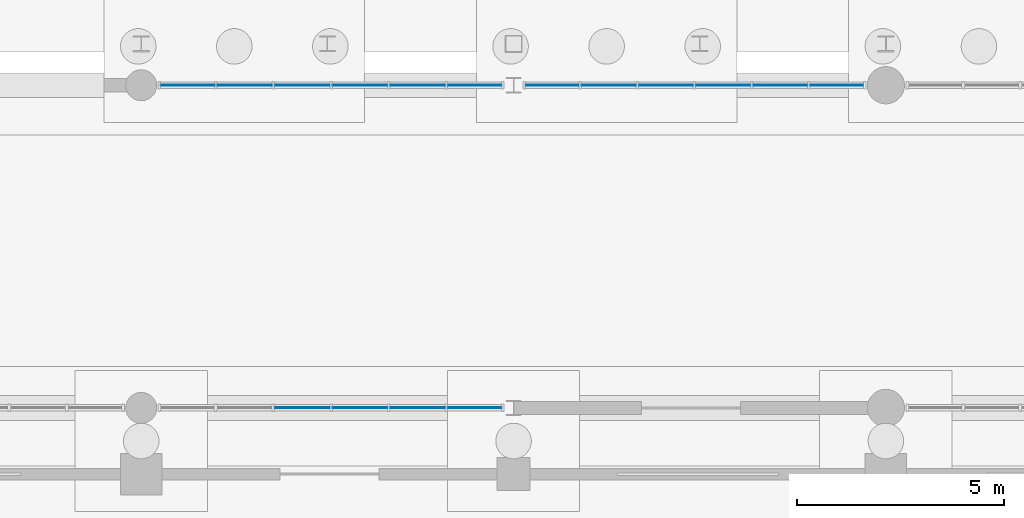
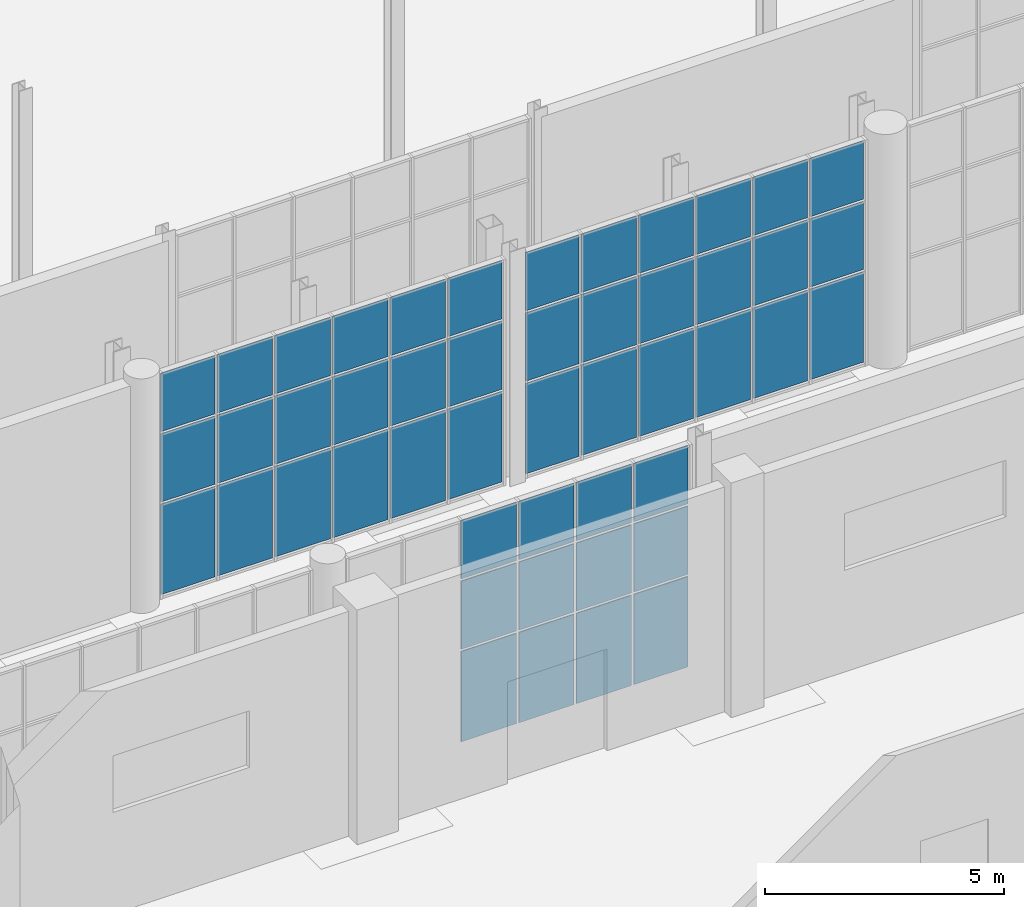
# One storey, part 79 of 131: 48 plates, 3 elements without a shape of their own.
"""IFC4 building model written with IfcOpenShell, lengths in metres."""

from ifc_helpers import new_model, si_unit, direction, frame, origin, origin_2d, place, context, subcontext, project, spatial, rectangle, extrude, material, layer, layer_set, type_object, element, aggregate, save


model = new_model("IFC4")

# Units and contexts
model_context = context("Model", 3, precision=1e-05, world=origin(), true_north=direction((0.0, 1.0)))
body_context = subcontext(model_context, "Body", "Model", "MODEL_VIEW")
ifc_project = project(units=[si_unit("LENGTHUNIT", "METRE"), si_unit("AREAUNIT", "SQUARE_METRE"), si_unit("VOLUMEUNIT", "CUBIC_METRE"), si_unit("PLANEANGLEUNIT", "RADIAN"), si_unit("MASSUNIT", "GRAM", prefix="KILO")], contexts=[model_context])

# Site, building, storey
site_placement = place(None, origin())
site = spatial("IfcSite", under=ifc_project, at=site_placement, CompositionType="ELEMENT")
building_placement = place(site_placement, origin())
building = spatial("IfcBuilding", under=site, at=building_placement, Name="Cazmaro Siding Exhibition Halls", CompositionType="ELEMENT")
storey_placement = place(building_placement, origin())
storey = spatial("IfcBuildingStorey", under=building, at=storey_placement, Name="L00", CompositionType="ELEMENT", Elevation=0.0)

# Curtain wall, plates
ifc_material_1 = material(Name="Anodized Bronze Aluminum and Solar-Control Low-E Glazing", Category="aluminium")
ifc_layer_1 = layer(ifc_material_1, 0.179931640625)
ifc_layer_set_1 = layer_set([ifc_layer_1], Name="Anodized Bronze Aluminum and Solar-Control Low-E Glazing")
curtain_wall_type = type_object("IfcCurtainWallType", Name="CWS-01", PredefinedType="USERDEFINED", material=ifc_layer_set_1)
curtain_wall_1_placement = place(storey_placement, origin())
curtain_wall_1 = element("IfcCurtainWall", 1, at=curtain_wall_1_placement, inside=storey, type_object=curtain_wall_type, Name="Glazed Curtain Wall CWS-01 CW-179", ObjectType="GLAZED CURTAIN WALL", PredefinedType="USERDEFINED")
ifc_material_2 = material(Name="Solar-Control Low-E Double Insulating Glass", Category="glass")
ifc_layer_2 = layer(ifc_material_2, 0.02392578125)
ifc_layer_set_2 = layer_set([ifc_layer_2], Name="Solar-Control Low-E Double Insulating Glass")
plate_type = type_object("IfcPlateType", Name="CWP-01", PredefinedType="CURTAIN_PANEL", material=ifc_layer_set_2)
plate_1_placement = place(storey_placement, frame((111.89208984375, 55.199951171875, 0.06005859375), z_axis=(0.0, 0.0, 1.0), x_axis=(1.0, 0.0, 0.0)))
plate_1 = element("IfcPlate", 2, at=plate_1_placement, type_object=plate_type, Name="CWS-01 panel 3.1", PredefinedType="CURTAIN_PANEL", context=body_context, shape_type="SweptSolid", body=[
    extrude(rectangle(XDim=1.333740234375, YDim=0.02392578125, at=origin_2d()), origin(), (0.0, 0.0, 1.0), 2.31005859375),
])
plate_2_placement = place(storey_placement, frame((111.89208984375, 55.199951171875, 2.43017578125), z_axis=(0.0, 0.0, 1.0), x_axis=(1.0, 0.0, 0.0)))
plate_2 = element("IfcPlate", 3, at=plate_2_placement, type_object=plate_type, Name="CWS-01 panel 3.2", PredefinedType="CURTAIN_PANEL", context=body_context, shape_type="SweptSolid", body=[
    extrude(rectangle(XDim=1.333740234375, YDim=0.02392578125, at=origin_2d()), origin(), (0.0, 0.0, 1.0), 1.739990234375),
])
plate_3_placement = place(storey_placement, frame((111.89208984375, 55.199951171875, 4.22998046875), z_axis=(0.0, 0.0, 1.0), x_axis=(1.0, 0.0, 0.0)))
plate_3 = element("IfcPlate", 4, at=plate_3_placement, type_object=plate_type, Name="CWS-01 panel 3.3", PredefinedType="CURTAIN_PANEL", context=body_context, shape_type="SweptSolid", body=[
    extrude(rectangle(XDim=1.333740234375, YDim=0.02392578125, at=origin_2d()), origin(), (0.0, 0.0, 1.0), 1.489990234375),
])
plate_4_placement = place(storey_placement, frame((113.285888671875, 55.199951171875, 0.06005859375), z_axis=(0.0, 0.0, 1.0), x_axis=(1.0, 0.0, 0.0)))
plate_4 = element("IfcPlate", 5, at=plate_4_placement, type_object=plate_type, Name="CWS-01 panel 4.1", PredefinedType="CURTAIN_PANEL", context=body_context, shape_type="SweptSolid", body=[
    extrude(rectangle(XDim=1.333740234375, YDim=0.02392578125, at=origin_2d()), origin(), (0.0, 0.0, 1.0), 2.31005859375),
])
plate_5_placement = place(storey_placement, frame((113.285888671875, 55.199951171875, 2.43017578125), z_axis=(0.0, 0.0, 1.0), x_axis=(1.0, 0.0, 0.0)))
plate_5 = element("IfcPlate", 6, at=plate_5_placement, type_object=plate_type, Name="CWS-01 panel 4.2", PredefinedType="CURTAIN_PANEL", context=body_context, shape_type="SweptSolid", body=[
    extrude(rectangle(XDim=1.333740234375, YDim=0.02392578125, at=origin_2d()), origin(), (0.0, 0.0, 1.0), 1.739990234375),
])
plate_6_placement = place(storey_placement, frame((113.285888671875, 55.199951171875, 4.22998046875), z_axis=(0.0, 0.0, 1.0), x_axis=(1.0, 0.0, 0.0)))
plate_6 = element("IfcPlate", 7, at=plate_6_placement, type_object=plate_type, Name="CWS-01 panel 4.3", PredefinedType="CURTAIN_PANEL", context=body_context, shape_type="SweptSolid", body=[
    extrude(rectangle(XDim=1.333740234375, YDim=0.02392578125, at=origin_2d()), origin(), (0.0, 0.0, 1.0), 1.489990234375),
])
plate_7_placement = place(storey_placement, frame((114.679443359375, 55.199951171875, 0.06005859375), z_axis=(0.0, 0.0, 1.0), x_axis=(1.0, 0.0, 0.0)))
plate_7 = element("IfcPlate", 8, at=plate_7_placement, type_object=plate_type, Name="CWS-01 panel 5.1", PredefinedType="CURTAIN_PANEL", context=body_context, shape_type="SweptSolid", body=[
    extrude(rectangle(XDim=1.333740234375, YDim=0.02392578125, at=origin_2d()), origin(), (0.0, 0.0, 1.0), 2.31005859375),
])
plate_8_placement = place(storey_placement, frame((114.679443359375, 55.199951171875, 2.43017578125), z_axis=(0.0, 0.0, 1.0), x_axis=(1.0, 0.0, 0.0)))
plate_8 = element("IfcPlate", 9, at=plate_8_placement, type_object=plate_type, Name="CWS-01 panel 5.2", PredefinedType="CURTAIN_PANEL", context=body_context, shape_type="SweptSolid", body=[
    extrude(rectangle(XDim=1.333740234375, YDim=0.02392578125, at=origin_2d()), origin(), (0.0, 0.0, 1.0), 1.739990234375),
])
plate_9_placement = place(storey_placement, frame((114.679443359375, 55.199951171875, 4.22998046875), z_axis=(0.0, 0.0, 1.0), x_axis=(1.0, 0.0, 0.0)))
plate_9 = element("IfcPlate", 10, at=plate_9_placement, type_object=plate_type, Name="CWS-01 panel 5.3", PredefinedType="CURTAIN_PANEL", context=body_context, shape_type="SweptSolid", body=[
    extrude(rectangle(XDim=1.333740234375, YDim=0.02392578125, at=origin_2d()), origin(), (0.0, 0.0, 1.0), 1.489990234375),
])
plate_10_placement = place(storey_placement, frame((116.05810546875, 55.199951171875, 0.06005859375), z_axis=(0.0, 0.0, 1.0), x_axis=(1.0, 0.0, 0.0)))
plate_10 = element("IfcPlate", 11, at=plate_10_placement, type_object=plate_type, Name="CWS-01 panel 6.1", PredefinedType="CURTAIN_PANEL", context=body_context, shape_type="SweptSolid", body=[
    extrude(rectangle(XDim=1.3037109375, YDim=0.02392578125, at=origin_2d()), origin(), (0.0, 0.0, 1.0), 2.31005859375),
])
plate_11_placement = place(storey_placement, frame((116.05810546875, 55.199951171875, 2.43017578125), z_axis=(0.0, 0.0, 1.0), x_axis=(1.0, 0.0, 0.0)))
plate_11 = element("IfcPlate", 12, at=plate_11_placement, type_object=plate_type, Name="CWS-01 panel 6.2", PredefinedType="CURTAIN_PANEL", context=body_context, shape_type="SweptSolid", body=[
    extrude(rectangle(XDim=1.3037109375, YDim=0.02392578125, at=origin_2d()), origin(), (0.0, 0.0, 1.0), 1.739990234375),
])
plate_12_placement = place(storey_placement, frame((116.05810546875, 55.199951171875, 4.22998046875), z_axis=(0.0, 0.0, 1.0), x_axis=(1.0, 0.0, 0.0)))
plate_12 = element("IfcPlate", 13, at=plate_12_placement, type_object=plate_type, Name="CWS-01 panel 6.3", PredefinedType="CURTAIN_PANEL", context=body_context, shape_type="SweptSolid", body=[
    extrude(rectangle(XDim=1.3037109375, YDim=0.02392578125, at=origin_2d()), origin(), (0.0, 0.0, 1.0), 1.489990234375),
])
aggregate(curtain_wall_1, [plate_1, plate_2, plate_3, plate_4, plate_5, plate_6, plate_7, plate_8, plate_9, plate_10, plate_11, plate_12])

curtain_wall_2_placement = place(storey_placement, origin())
curtain_wall_2 = element("IfcCurtainWall", 14, at=curtain_wall_2_placement, inside=storey, type_object=curtain_wall_type, Name="Glazed Curtain Wall CWS-01 CW-180", ObjectType="GLAZED CURTAIN WALL", PredefinedType="USERDEFINED")
plate_13_placement = place(storey_placement, frame((116.05810546875, 63.0, 0.06005859375), z_axis=(0.0, 0.0, 1.0), x_axis=(-1.0, 0.0, 0.0)))
plate_13 = element("IfcPlate", 15, at=plate_13_placement, type_object=plate_type, Name="CWS-01 panel 1.1", PredefinedType="CURTAIN_PANEL", context=body_context, shape_type="SweptSolid", body=[
    extrude(rectangle(XDim=1.3037109375, YDim=0.02392578125, at=origin_2d()), origin(), (0.0, 0.0, 1.0), 2.31005859375),
])
plate_14_placement = place(storey_placement, frame((116.05810546875, 63.0, 2.43017578125), z_axis=(0.0, 0.0, 1.0), x_axis=(-1.0, 0.0, 0.0)))
plate_14 = element("IfcPlate", 16, at=plate_14_placement, type_object=plate_type, Name="CWS-01 panel 1.2", PredefinedType="CURTAIN_PANEL", context=body_context, shape_type="SweptSolid", body=[
    extrude(rectangle(XDim=1.3037109375, YDim=0.02392578125, at=origin_2d()), origin(), (0.0, 0.0, 1.0), 1.739990234375),
])
plate_15_placement = place(storey_placement, frame((116.05810546875, 63.0, 4.22998046875), z_axis=(0.0, 0.0, 1.0), x_axis=(-1.0, 0.0, 0.0)))
plate_15 = element("IfcPlate", 17, at=plate_15_placement, type_object=plate_type, Name="CWS-01 panel 1.3", PredefinedType="CURTAIN_PANEL", context=body_context, shape_type="SweptSolid", body=[
    extrude(rectangle(XDim=1.3037109375, YDim=0.02392578125, at=origin_2d()), origin(), (0.0, 0.0, 1.0), 1.489990234375),
])
plate_16_placement = place(storey_placement, frame((114.679443359375, 63.0, 0.06005859375), z_axis=(0.0, 0.0, 1.0), x_axis=(-1.0, 0.0, 0.0)))
plate_16 = element("IfcPlate", 18, at=plate_16_placement, type_object=plate_type, Name="CWS-01 panel 2.1", PredefinedType="CURTAIN_PANEL", context=body_context, shape_type="SweptSolid", body=[
    extrude(rectangle(XDim=1.333740234375, YDim=0.02392578125, at=origin_2d()), origin(), (0.0, 0.0, 1.0), 2.31005859375),
])
plate_17_placement = place(storey_placement, frame((114.679443359375, 63.0, 2.43017578125), z_axis=(0.0, 0.0, 1.0), x_axis=(-1.0, 0.0, 0.0)))
plate_17 = element("IfcPlate", 19, at=plate_17_placement, type_object=plate_type, Name="CWS-01 panel 2.2", PredefinedType="CURTAIN_PANEL", context=body_context, shape_type="SweptSolid", body=[
    extrude(rectangle(XDim=1.333740234375, YDim=0.02392578125, at=origin_2d()), origin(), (0.0, 0.0, 1.0), 1.739990234375),
])
plate_18_placement = place(storey_placement, frame((114.679443359375, 63.0, 4.22998046875), z_axis=(0.0, 0.0, 1.0), x_axis=(-1.0, 0.0, 0.0)))
plate_18 = element("IfcPlate", 20, at=plate_18_placement, type_object=plate_type, Name="CWS-01 panel 2.3", PredefinedType="CURTAIN_PANEL", context=body_context, shape_type="SweptSolid", body=[
    extrude(rectangle(XDim=1.333740234375, YDim=0.02392578125, at=origin_2d()), origin(), (0.0, 0.0, 1.0), 1.489990234375),
])
plate_19_placement = place(storey_placement, frame((113.285888671875, 63.0, 0.06005859375), z_axis=(0.0, 0.0, 1.0), x_axis=(-1.0, 0.0, 0.0)))
plate_19 = element("IfcPlate", 21, at=plate_19_placement, type_object=plate_type, Name="CWS-01 panel 3.1", PredefinedType="CURTAIN_PANEL", context=body_context, shape_type="SweptSolid", body=[
    extrude(rectangle(XDim=1.333740234375, YDim=0.02392578125, at=origin_2d()), origin(), (0.0, 0.0, 1.0), 2.31005859375),
])
plate_20_placement = place(storey_placement, frame((113.285888671875, 63.0, 2.43017578125), z_axis=(0.0, 0.0, 1.0), x_axis=(-1.0, 0.0, 0.0)))
plate_20 = element("IfcPlate", 22, at=plate_20_placement, type_object=plate_type, Name="CWS-01 panel 3.2", PredefinedType="CURTAIN_PANEL", context=body_context, shape_type="SweptSolid", body=[
    extrude(rectangle(XDim=1.333740234375, YDim=0.02392578125, at=origin_2d()), origin(), (0.0, 0.0, 1.0), 1.739990234375),
])
plate_21_placement = place(storey_placement, frame((113.285888671875, 63.0, 4.22998046875), z_axis=(0.0, 0.0, 1.0), x_axis=(-1.0, 0.0, 0.0)))
plate_21 = element("IfcPlate", 23, at=plate_21_placement, type_object=plate_type, Name="CWS-01 panel 3.3", PredefinedType="CURTAIN_PANEL", context=body_context, shape_type="SweptSolid", body=[
    extrude(rectangle(XDim=1.333740234375, YDim=0.02392578125, at=origin_2d()), origin(), (0.0, 0.0, 1.0), 1.489990234375),
])
plate_22_placement = place(storey_placement, frame((111.89208984375, 63.0, 0.06005859375), z_axis=(0.0, 0.0, 1.0), x_axis=(-1.0, 0.0, 0.0)))
plate_22 = element("IfcPlate", 24, at=plate_22_placement, type_object=plate_type, Name="CWS-01 panel 4.1", PredefinedType="CURTAIN_PANEL", context=body_context, shape_type="SweptSolid", body=[
    extrude(rectangle(XDim=1.333740234375, YDim=0.02392578125, at=origin_2d()), origin(), (0.0, 0.0, 1.0), 2.31005859375),
])
plate_23_placement = place(storey_placement, frame((111.89208984375, 63.0, 2.43017578125), z_axis=(0.0, 0.0, 1.0), x_axis=(-1.0, 0.0, 0.0)))
plate_23 = element("IfcPlate", 25, at=plate_23_placement, type_object=plate_type, Name="CWS-01 panel 4.2", PredefinedType="CURTAIN_PANEL", context=body_context, shape_type="SweptSolid", body=[
    extrude(rectangle(XDim=1.333740234375, YDim=0.02392578125, at=origin_2d()), origin(), (0.0, 0.0, 1.0), 1.739990234375),
])
plate_24_placement = place(storey_placement, frame((111.89208984375, 63.0, 4.22998046875), z_axis=(0.0, 0.0, 1.0), x_axis=(-1.0, 0.0, 0.0)))
plate_24 = element("IfcPlate", 26, at=plate_24_placement, type_object=plate_type, Name="CWS-01 panel 4.3", PredefinedType="CURTAIN_PANEL", context=body_context, shape_type="SweptSolid", body=[
    extrude(rectangle(XDim=1.333740234375, YDim=0.02392578125, at=origin_2d()), origin(), (0.0, 0.0, 1.0), 1.489990234375),
])
plate_25_placement = place(storey_placement, frame((110.49853515625, 63.0, 0.06005859375), z_axis=(0.0, 0.0, 1.0), x_axis=(-1.0, 0.0, 0.0)))
plate_25 = element("IfcPlate", 27, at=plate_25_placement, type_object=plate_type, Name="CWS-01 panel 5.1", PredefinedType="CURTAIN_PANEL", context=body_context, shape_type="SweptSolid", body=[
    extrude(rectangle(XDim=1.333740234375, YDim=0.02392578125, at=origin_2d()), origin(), (0.0, 0.0, 1.0), 2.31005859375),
])
plate_26_placement = place(storey_placement, frame((110.49853515625, 63.0, 2.43017578125), z_axis=(0.0, 0.0, 1.0), x_axis=(-1.0, 0.0, 0.0)))
plate_26 = element("IfcPlate", 28, at=plate_26_placement, type_object=plate_type, Name="CWS-01 panel 5.2", PredefinedType="CURTAIN_PANEL", context=body_context, shape_type="SweptSolid", body=[
    extrude(rectangle(XDim=1.333740234375, YDim=0.02392578125, at=origin_2d()), origin(), (0.0, 0.0, 1.0), 1.739990234375),
])
plate_27_placement = place(storey_placement, frame((110.49853515625, 63.0, 4.22998046875), z_axis=(0.0, 0.0, 1.0), x_axis=(-1.0, 0.0, 0.0)))
plate_27 = element("IfcPlate", 29, at=plate_27_placement, type_object=plate_type, Name="CWS-01 panel 5.3", PredefinedType="CURTAIN_PANEL", context=body_context, shape_type="SweptSolid", body=[
    extrude(rectangle(XDim=1.333740234375, YDim=0.02392578125, at=origin_2d()), origin(), (0.0, 0.0, 1.0), 1.489990234375),
])
plate_28_placement = place(storey_placement, frame((109.119873046875, 63.0, 0.06005859375), z_axis=(0.0, 0.0, 1.0), x_axis=(-1.0, 0.0, 0.0)))
plate_28 = element("IfcPlate", 30, at=plate_28_placement, type_object=plate_type, Name="CWS-01 panel 6.1", PredefinedType="CURTAIN_PANEL", context=body_context, shape_type="SweptSolid", body=[
    extrude(rectangle(XDim=1.3037109375, YDim=0.02392578125, at=origin_2d()), origin(), (0.0, 0.0, 1.0), 2.31005859375),
])
plate_29_placement = place(storey_placement, frame((109.119873046875, 63.0, 2.43017578125), z_axis=(0.0, 0.0, 1.0), x_axis=(-1.0, 0.0, 0.0)))
plate_29 = element("IfcPlate", 31, at=plate_29_placement, type_object=plate_type, Name="CWS-01 panel 6.2", PredefinedType="CURTAIN_PANEL", context=body_context, shape_type="SweptSolid", body=[
    extrude(rectangle(XDim=1.3037109375, YDim=0.02392578125, at=origin_2d()), origin(), (0.0, 0.0, 1.0), 1.739990234375),
])
plate_30_placement = place(storey_placement, frame((109.119873046875, 63.0, 4.22998046875), z_axis=(0.0, 0.0, 1.0), x_axis=(-1.0, 0.0, 0.0)))
plate_30 = element("IfcPlate", 32, at=plate_30_placement, type_object=plate_type, Name="CWS-01 panel 6.3", PredefinedType="CURTAIN_PANEL", context=body_context, shape_type="SweptSolid", body=[
    extrude(rectangle(XDim=1.3037109375, YDim=0.02392578125, at=origin_2d()), origin(), (0.0, 0.0, 1.0), 1.489990234375),
])
aggregate(curtain_wall_2, [plate_13, plate_14, plate_15, plate_16, plate_17, plate_18, plate_19, plate_20, plate_21, plate_22, plate_23, plate_24, plate_25, plate_26, plate_27, plate_28, plate_29, plate_30])

curtain_wall_3_placement = place(storey_placement, origin())
curtain_wall_3 = element("IfcCurtainWall", 33, at=curtain_wall_3_placement, inside=storey, type_object=curtain_wall_type, Name="Glazed Curtain Wall CWS-01 CW-185", ObjectType="GLAZED CURTAIN WALL", PredefinedType="USERDEFINED")
plate_31_placement = place(storey_placement, frame((124.8115234375, 63.0, 0.06005859375), z_axis=(0.0, 0.0, 1.0), x_axis=(-1.0, 0.0, 0.0)))
plate_31 = element("IfcPlate", 34, at=plate_31_placement, type_object=plate_type, Name="CWS-01 panel 1.1", PredefinedType="CURTAIN_PANEL", context=body_context, shape_type="SweptSolid", body=[
    extrude(rectangle(XDim=1.291259765625, YDim=0.02392578125, at=origin_2d()), origin(), (0.0, 0.0, 1.0), 2.31005859375),
])
plate_32_placement = place(storey_placement, frame((124.8115234375, 63.0, 2.43017578125), z_axis=(0.0, 0.0, 1.0), x_axis=(-1.0, 0.0, 0.0)))
plate_32 = element("IfcPlate", 35, at=plate_32_placement, type_object=plate_type, Name="CWS-01 panel 1.2", PredefinedType="CURTAIN_PANEL", context=body_context, shape_type="SweptSolid", body=[
    extrude(rectangle(XDim=1.291259765625, YDim=0.02392578125, at=origin_2d()), origin(), (0.0, 0.0, 1.0), 1.739990234375),
])
plate_33_placement = place(storey_placement, frame((124.8115234375, 63.0, 4.22998046875), z_axis=(0.0, 0.0, 1.0), x_axis=(-1.0, 0.0, 0.0)))
plate_33 = element("IfcPlate", 36, at=plate_33_placement, type_object=plate_type, Name="CWS-01 panel 1.3", PredefinedType="CURTAIN_PANEL", context=body_context, shape_type="SweptSolid", body=[
    extrude(rectangle(XDim=1.291259765625, YDim=0.02392578125, at=origin_2d()), origin(), (0.0, 0.0, 1.0), 1.489990234375),
])
plate_34_placement = place(storey_placement, frame((123.4453125, 63.0, 0.06005859375), z_axis=(0.0, 0.0, 1.0), x_axis=(-1.0, 0.0, 0.0)))
plate_34 = element("IfcPlate", 37, at=plate_34_placement, type_object=plate_type, Name="CWS-01 panel 2.1", PredefinedType="CURTAIN_PANEL", context=body_context, shape_type="SweptSolid", body=[
    extrude(rectangle(XDim=1.321044921875, YDim=0.02392578125, at=origin_2d()), origin(), (0.0, 0.0, 1.0), 2.31005859375),
])
plate_35_placement = place(storey_placement, frame((123.4453125, 63.0, 2.43017578125), z_axis=(0.0, 0.0, 1.0), x_axis=(-1.0, 0.0, 0.0)))
plate_35 = element("IfcPlate", 38, at=plate_35_placement, type_object=plate_type, Name="CWS-01 panel 2.2", PredefinedType="CURTAIN_PANEL", context=body_context, shape_type="SweptSolid", body=[
    extrude(rectangle(XDim=1.321044921875, YDim=0.02392578125, at=origin_2d()), origin(), (0.0, 0.0, 1.0), 1.739990234375),
])
plate_36_placement = place(storey_placement, frame((123.4453125, 63.0, 4.22998046875), z_axis=(0.0, 0.0, 1.0), x_axis=(-1.0, 0.0, 0.0)))
plate_36 = element("IfcPlate", 39, at=plate_36_placement, type_object=plate_type, Name="CWS-01 panel 2.3", PredefinedType="CURTAIN_PANEL", context=body_context, shape_type="SweptSolid", body=[
    extrude(rectangle(XDim=1.321044921875, YDim=0.02392578125, at=origin_2d()), origin(), (0.0, 0.0, 1.0), 1.489990234375),
])
plate_37_placement = place(storey_placement, frame((122.06396484375, 63.0, 0.06005859375), z_axis=(0.0, 0.0, 1.0), x_axis=(-1.0, 0.0, 0.0)))
plate_37 = element("IfcPlate", 40, at=plate_37_placement, type_object=plate_type, Name="CWS-01 panel 3.1", PredefinedType="CURTAIN_PANEL", context=body_context, shape_type="SweptSolid", body=[
    extrude(rectangle(XDim=1.321044921875, YDim=0.02392578125, at=origin_2d()), origin(), (0.0, 0.0, 1.0), 2.31005859375),
])
plate_38_placement = place(storey_placement, frame((122.06396484375, 63.0, 2.43017578125), z_axis=(0.0, 0.0, 1.0), x_axis=(-1.0, 0.0, 0.0)))
plate_38 = element("IfcPlate", 41, at=plate_38_placement, type_object=plate_type, Name="CWS-01 panel 3.2", PredefinedType="CURTAIN_PANEL", context=body_context, shape_type="SweptSolid", body=[
    extrude(rectangle(XDim=1.321044921875, YDim=0.02392578125, at=origin_2d()), origin(), (0.0, 0.0, 1.0), 1.739990234375),
])
plate_39_placement = place(storey_placement, frame((122.06396484375, 63.0, 4.22998046875), z_axis=(0.0, 0.0, 1.0), x_axis=(-1.0, 0.0, 0.0)))
plate_39 = element("IfcPlate", 42, at=plate_39_placement, type_object=plate_type, Name="CWS-01 panel 3.3", PredefinedType="CURTAIN_PANEL", context=body_context, shape_type="SweptSolid", body=[
    extrude(rectangle(XDim=1.321044921875, YDim=0.02392578125, at=origin_2d()), origin(), (0.0, 0.0, 1.0), 1.489990234375),
])
plate_40_placement = place(storey_placement, frame((120.682861328125, 63.0, 0.06005859375), z_axis=(0.0, 0.0, 1.0), x_axis=(-1.0, 0.0, 0.0)))
plate_40 = element("IfcPlate", 43, at=plate_40_placement, type_object=plate_type, Name="CWS-01 panel 4.1", PredefinedType="CURTAIN_PANEL", context=body_context, shape_type="SweptSolid", body=[
    extrude(rectangle(XDim=1.321044921875, YDim=0.02392578125, at=origin_2d()), origin(), (0.0, 0.0, 1.0), 2.31005859375),
])
plate_41_placement = place(storey_placement, frame((120.682861328125, 63.0, 2.43017578125), z_axis=(0.0, 0.0, 1.0), x_axis=(-1.0, 0.0, 0.0)))
plate_41 = element("IfcPlate", 44, at=plate_41_placement, type_object=plate_type, Name="CWS-01 panel 4.2", PredefinedType="CURTAIN_PANEL", context=body_context, shape_type="SweptSolid", body=[
    extrude(rectangle(XDim=1.321044921875, YDim=0.02392578125, at=origin_2d()), origin(), (0.0, 0.0, 1.0), 1.739990234375),
])
plate_42_placement = place(storey_placement, frame((120.682861328125, 63.0, 4.22998046875), z_axis=(0.0, 0.0, 1.0), x_axis=(-1.0, 0.0, 0.0)))
plate_42 = element("IfcPlate", 45, at=plate_42_placement, type_object=plate_type, Name="CWS-01 panel 4.3", PredefinedType="CURTAIN_PANEL", context=body_context, shape_type="SweptSolid", body=[
    extrude(rectangle(XDim=1.321044921875, YDim=0.02392578125, at=origin_2d()), origin(), (0.0, 0.0, 1.0), 1.489990234375),
])
plate_43_placement = place(storey_placement, frame((119.3017578125, 63.0, 0.06005859375), z_axis=(0.0, 0.0, 1.0), x_axis=(-1.0, 0.0, 0.0)))
plate_43 = element("IfcPlate", 46, at=plate_43_placement, type_object=plate_type, Name="CWS-01 panel 5.1", PredefinedType="CURTAIN_PANEL", context=body_context, shape_type="SweptSolid", body=[
    extrude(rectangle(XDim=1.321044921875, YDim=0.02392578125, at=origin_2d()), origin(), (0.0, 0.0, 1.0), 2.31005859375),
])
plate_44_placement = place(storey_placement, frame((119.3017578125, 63.0, 2.43017578125), z_axis=(0.0, 0.0, 1.0), x_axis=(-1.0, 0.0, 0.0)))
plate_44 = element("IfcPlate", 47, at=plate_44_placement, type_object=plate_type, Name="CWS-01 panel 5.2", PredefinedType="CURTAIN_PANEL", context=body_context, shape_type="SweptSolid", body=[
    extrude(rectangle(XDim=1.321044921875, YDim=0.02392578125, at=origin_2d()), origin(), (0.0, 0.0, 1.0), 1.739990234375),
])
plate_45_placement = place(storey_placement, frame((119.3017578125, 63.0, 4.22998046875), z_axis=(0.0, 0.0, 1.0), x_axis=(-1.0, 0.0, 0.0)))
plate_45 = element("IfcPlate", 48, at=plate_45_placement, type_object=plate_type, Name="CWS-01 panel 5.3", PredefinedType="CURTAIN_PANEL", context=body_context, shape_type="SweptSolid", body=[
    extrude(rectangle(XDim=1.321044921875, YDim=0.02392578125, at=origin_2d()), origin(), (0.0, 0.0, 1.0), 1.489990234375),
])
plate_46_placement = place(storey_placement, frame((117.935546875, 63.0, 0.06005859375), z_axis=(0.0, 0.0, 1.0), x_axis=(-1.0, 0.0, 0.0)))
plate_46 = element("IfcPlate", 49, at=plate_46_placement, type_object=plate_type, Name="CWS-01 panel 6.1", PredefinedType="CURTAIN_PANEL", context=body_context, shape_type="SweptSolid", body=[
    extrude(rectangle(XDim=1.291259765625, YDim=0.02392578125, at=origin_2d()), origin(), (0.0, 0.0, 1.0), 2.31005859375),
])
plate_47_placement = place(storey_placement, frame((117.935546875, 63.0, 2.43017578125), z_axis=(0.0, 0.0, 1.0), x_axis=(-1.0, 0.0, 0.0)))
plate_47 = element("IfcPlate", 50, at=plate_47_placement, type_object=plate_type, Name="CWS-01 panel 6.2", PredefinedType="CURTAIN_PANEL", context=body_context, shape_type="SweptSolid", body=[
    extrude(rectangle(XDim=1.291259765625, YDim=0.02392578125, at=origin_2d()), origin(), (0.0, 0.0, 1.0), 1.739990234375),
])
plate_48_placement = place(storey_placement, frame((117.935546875, 63.0, 4.22998046875), z_axis=(0.0, 0.0, 1.0), x_axis=(-1.0, 0.0, 0.0)))
plate_48 = element("IfcPlate", 51, at=plate_48_placement, type_object=plate_type, Name="CWS-01 panel 6.3", PredefinedType="CURTAIN_PANEL", context=body_context, shape_type="SweptSolid", body=[
    extrude(rectangle(XDim=1.291259765625, YDim=0.02392578125, at=origin_2d()), origin(), (0.0, 0.0, 1.0), 1.489990234375),
])
aggregate(curtain_wall_3, [plate_31, plate_32, plate_33, plate_34, plate_35, plate_36, plate_37, plate_38, plate_39, plate_40, plate_41, plate_42, plate_43, plate_44, plate_45, plate_46, plate_47, plate_48])

save(model, "model.ifc")
